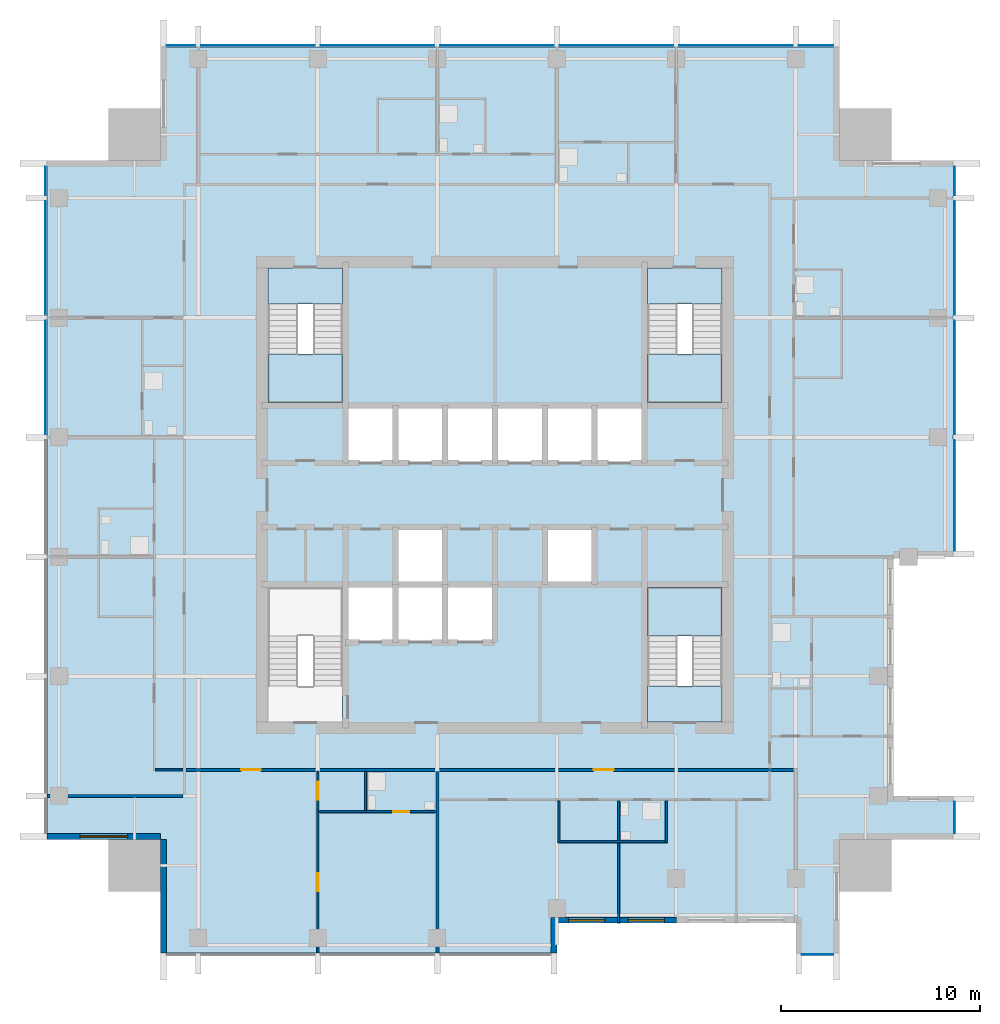
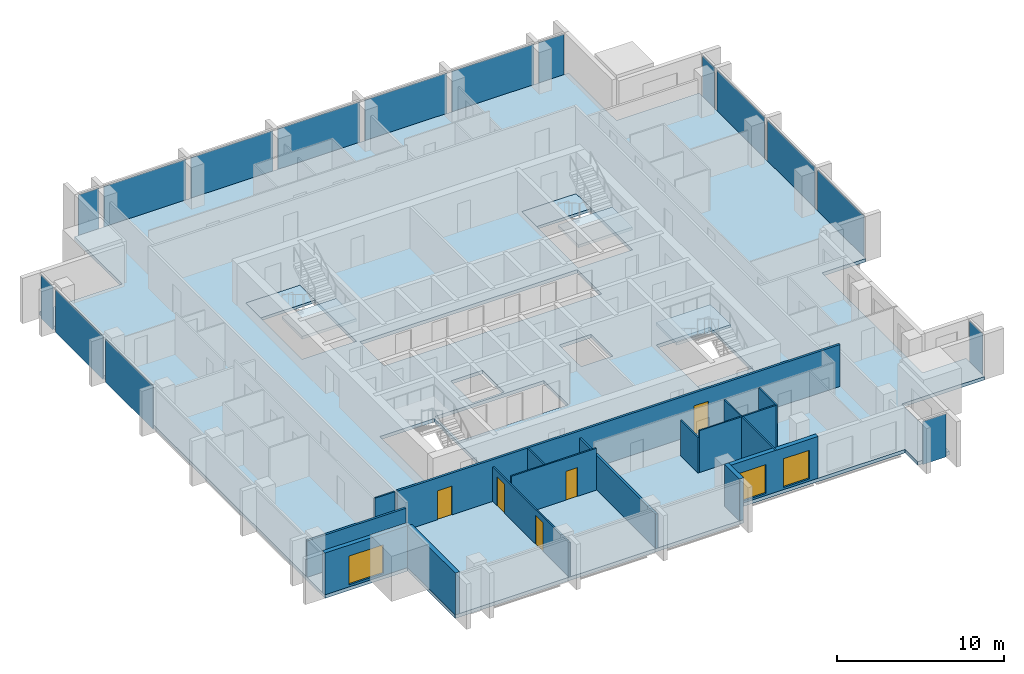
# One storey, part 3 of 9: 16 plates, 15 walls, 7 slabs, 5 doors, 3 windows, 8 openings, 8 elements without a shape of their own.
"""IFC4 building model written with IfcOpenShell, lengths in metres."""

from ifc_helpers import new_model, si_unit, direction, frame, frame_2d, origin, origin_2d, place, context, subcontext, project, spatial, polyline, rectangle, outline, extrude, material, layer, layer_set, type_object, element, fill, aggregate, save


model = new_model("IFC4")

# Units and contexts
model_context = context("Model", 3, precision=1e-05, world=origin(), true_north=direction((0.0, 1.0)))
body_context = subcontext(model_context, "Body", "Model", "MODEL_VIEW")
ifc_project = project(units=[si_unit("LENGTHUNIT", "METRE"), si_unit("AREAUNIT", "SQUARE_METRE"), si_unit("VOLUMEUNIT", "CUBIC_METRE"), si_unit("PLANEANGLEUNIT", "RADIAN"), si_unit("MASSUNIT", "GRAM", prefix="KILO")], contexts=[model_context])

# Site, building, storey
site_placement = place(None, origin())
site = spatial("IfcSite", under=ifc_project, at=site_placement, CompositionType="ELEMENT")
building_placement = place(site_placement, origin())
building = spatial("IfcBuilding", under=site, at=building_placement, Name="Amberfall Residences", CompositionType="ELEMENT")
storey_placement = place(building_placement, frame((0.0, 0.0, 210.10009765625)))
storey = spatial("IfcBuildingStorey", under=building, at=storey_placement, Name="L56", CompositionType="ELEMENT", Elevation=210.10009765625)

# Curtain wall, plate
ifc_material_1 = material(Name="Bronze anodised aluminium and glass", Category="aluminium")
curtain_wall_type = type_object("IfcCurtainWallType", Name="Curtain wall CW1 tower unit", PredefinedType="USERDEFINED", material=ifc_material_1)
curtain_wall_1_placement = place(storey_placement, origin())
curtain_wall_1 = element("IfcCurtainWall", 1, at=curtain_wall_1_placement, inside=storey, type_object=curtain_wall_type, Name="Curtain wall L56 S S6", ObjectType="UNITISED CURTAIN WALL", PredefinedType="USERDEFINED")
ifc_material_2 = material(Name="Tinted double glazed unit", Category="glass")
ifc_layer_1 = layer(ifc_material_2, 0.035888671875)
ifc_layer_set_1 = layer_set([ifc_layer_1], Name="CW1 panel 36 glazing")
plate_type = type_object("IfcPlateType", Name="CW1 panel 36 glazing", PredefinedType="CURTAIN_PANEL", material=ifc_layer_set_1)
plate_1_placement = place(storey_placement, frame((90.699951171875, 22.425048828125, -0.25), z_axis=(0.0, 0.0, 1.0), x_axis=(1.0, 0.0, 0.0)))
plate_1 = element("IfcPlate", 2, at=plate_1_placement, type_object=plate_type, Name="CW1 panel 1.1", PredefinedType="CURTAIN_PANEL", context=body_context, shape_type="SweptSolid", body=[
    extrude(rectangle(XDim=1.575927734375, YDim=0.035888671875, at=origin_2d()), origin(), (0.0, 0.0, 1.0), 3.14990234375),
])
aggregate(curtain_wall_1, [plate_1])

curtain_wall_2_placement = place(storey_placement, origin())
curtain_wall_2 = element("IfcCurtainWall", 3, at=curtain_wall_2_placement, inside=storey, type_object=curtain_wall_type, Name="Curtain wall L56 E E1", ObjectType="UNITISED CURTAIN WALL", PredefinedType="USERDEFINED")
plate_2_placement = place(storey_placement, frame((97.574951171875, 29.300048828125, -0.25), z_axis=(0.0, 0.0, 1.0), x_axis=(0.0, 1.0, 0.0)))
plate_2 = element("IfcPlate", 4, at=plate_2_placement, type_object=plate_type, Name="CW1 panel 1.1", PredefinedType="CURTAIN_PANEL", context=body_context, shape_type="SweptSolid", body=[
    extrude(rectangle(XDim=1.575927734375, YDim=0.035888671875, at=origin_2d()), origin(), (0.0, 0.0, 1.0), 3.14990234375),
])
aggregate(curtain_wall_2, [plate_2])

# Curtain wall, plates
curtain_wall_3_placement = place(storey_placement, origin())
curtain_wall_3 = element("IfcCurtainWall", 5, at=curtain_wall_3_placement, inside=storey, type_object=curtain_wall_type, Name="Curtain wall L56 E E6", ObjectType="UNITISED CURTAIN WALL", PredefinedType="USERDEFINED")
plate_3_placement = place(storey_placement, frame((97.574951171875, 45.47509765625, -0.25), z_axis=(0.0, 0.0, 1.0), x_axis=(0.0, 1.0, 0.0)))
plate_3 = element("IfcPlate", 6, at=plate_3_placement, type_object=plate_type, Name="CW1 panel 1.1", PredefinedType="CURTAIN_PANEL", context=body_context, shape_type="SweptSolid", body=[
    extrude(rectangle(XDim=5.52587890625, YDim=0.035888671875, at=origin_2d()), origin(), (0.0, 0.0, 1.0), 3.14990234375),
])
plate_4_placement = place(storey_placement, frame((97.574951171875, 51.39990234375, -0.25), z_axis=(0.0, 0.0, 1.0), x_axis=(0.0, 1.0, 0.0)))
plate_4 = element("IfcPlate", 7, at=plate_4_placement, type_object=plate_type, Name="CW1 panel 2.1", PredefinedType="CURTAIN_PANEL", context=body_context, shape_type="SweptSolid", body=[
    extrude(rectangle(XDim=5.676025390625, YDim=0.035888671875, at=origin_2d()), origin(), (0.0, 0.0, 1.0), 3.14990234375),
])
plate_5_placement = place(storey_placement, frame((97.574951171875, 57.39990234375, -0.25), z_axis=(0.0, 0.0, 1.0), x_axis=(0.0, 1.0, 0.0)))
plate_5 = element("IfcPlate", 8, at=plate_5_placement, type_object=plate_type, Name="CW1 panel 3.1", PredefinedType="CURTAIN_PANEL", context=body_context, shape_type="SweptSolid", body=[
    extrude(rectangle(XDim=5.676025390625, YDim=0.035888671875, at=origin_2d()), origin(), (0.0, 0.0, 1.0), 3.14990234375),
])
plate_6_placement = place(storey_placement, frame((97.574951171875, 61.27490234375, -0.25), z_axis=(0.0, 0.0, 1.0), x_axis=(0.0, 1.0, 0.0)))
plate_6 = element("IfcPlate", 9, at=plate_6_placement, type_object=plate_type, Name="CW1 panel 4.1", PredefinedType="CURTAIN_PANEL", context=body_context, shape_type="SweptSolid", body=[
    extrude(rectangle(XDim=1.426025390625, YDim=0.035888671875, at=origin_2d()), origin(), (0.0, 0.0, 1.0), 3.14990234375),
])
aggregate(curtain_wall_3, [plate_3, plate_4, plate_5, plate_6])

curtain_wall_4_placement = place(storey_placement, origin())
curtain_wall_4 = element("IfcCurtainWall", 10, at=curtain_wall_4_placement, inside=storey, type_object=curtain_wall_type, Name="Curtain wall L56 N N1", ObjectType="UNITISED CURTAIN WALL", PredefinedType="USERDEFINED")
plate_7_placement = place(storey_placement, frame((90.625, 68.074951171875, -0.25), z_axis=(0.0, 0.0, 1.0), x_axis=(-1.0, 0.0, 0.0)))
plate_7 = element("IfcPlate", 11, at=plate_7_placement, type_object=plate_type, Name="CW1 panel 1.1", PredefinedType="CURTAIN_PANEL", context=body_context, shape_type="SweptSolid", body=[
    extrude(rectangle(XDim=1.72607421875, YDim=0.035888671875, at=origin_2d()), origin(), (0.0, 0.0, 1.0), 3.14990234375),
])
plate_8_placement = place(storey_placement, frame((86.60009765625, 68.074951171875, -0.25), z_axis=(0.0, 0.0, 1.0), x_axis=(-1.0, 0.0, 0.0)))
plate_8 = element("IfcPlate", 12, at=plate_8_placement, type_object=plate_type, Name="CW1 panel 2.1", PredefinedType="CURTAIN_PANEL", context=body_context, shape_type="SweptSolid", body=[
    extrude(rectangle(XDim=5.676025390625, YDim=0.035888671875, at=origin_2d()), origin(), (0.0, 0.0, 1.0), 3.14990234375),
])
plate_9_placement = place(storey_placement, frame((80.60009765625, 68.074951171875, -0.25), z_axis=(0.0, 0.0, 1.0), x_axis=(-1.0, 0.0, 0.0)))
plate_9 = element("IfcPlate", 13, at=plate_9_placement, type_object=plate_type, Name="CW1 panel 3.1", PredefinedType="CURTAIN_PANEL", context=body_context, shape_type="SweptSolid", body=[
    extrude(rectangle(XDim=5.676025390625, YDim=0.035888671875, at=origin_2d()), origin(), (0.0, 0.0, 1.0), 3.14990234375),
])
plate_10_placement = place(storey_placement, frame((74.60009765625, 68.074951171875, -0.25), z_axis=(0.0, 0.0, 1.0), x_axis=(-1.0, 0.0, 0.0)))
plate_10 = element("IfcPlate", 14, at=plate_10_placement, type_object=plate_type, Name="CW1 panel 4.1", PredefinedType="CURTAIN_PANEL", context=body_context, shape_type="SweptSolid", body=[
    extrude(rectangle(XDim=5.676025390625, YDim=0.035888671875, at=origin_2d()), origin(), (0.0, 0.0, 1.0), 3.14990234375),
])
plate_11_placement = place(storey_placement, frame((68.60009765625, 68.074951171875, -0.25), z_axis=(0.0, 0.0, 1.0), x_axis=(-1.0, 0.0, 0.0)))
plate_11 = element("IfcPlate", 15, at=plate_11_placement, type_object=plate_type, Name="CW1 panel 5.1", PredefinedType="CURTAIN_PANEL", context=body_context, shape_type="SweptSolid", body=[
    extrude(rectangle(XDim=5.676025390625, YDim=0.035888671875, at=origin_2d()), origin(), (0.0, 0.0, 1.0), 3.14990234375),
])
plate_12_placement = place(storey_placement, frame((62.60009765625, 68.074951171875, -0.25), z_axis=(0.0, 0.0, 1.0), x_axis=(-1.0, 0.0, 0.0)))
plate_12 = element("IfcPlate", 16, at=plate_12_placement, type_object=plate_type, Name="CW1 panel 6.1", PredefinedType="CURTAIN_PANEL", context=body_context, shape_type="SweptSolid", body=[
    extrude(rectangle(XDim=5.676025390625, YDim=0.035888671875, at=origin_2d()), origin(), (0.0, 0.0, 1.0), 3.14990234375),
])
plate_13_placement = place(storey_placement, frame((58.72509765625, 68.074951171875, -0.25), z_axis=(0.0, 0.0, 1.0), x_axis=(-1.0, 0.0, 0.0)))
plate_13 = element("IfcPlate", 17, at=plate_13_placement, type_object=plate_type, Name="CW1 panel 7.1", PredefinedType="CURTAIN_PANEL", context=body_context, shape_type="SweptSolid", body=[
    extrude(rectangle(XDim=1.426025390625, YDim=0.035888671875, at=origin_2d()), origin(), (0.0, 0.0, 1.0), 3.14990234375),
])
aggregate(curtain_wall_4, [plate_7, plate_8, plate_9, plate_10, plate_11, plate_12, plate_13])

curtain_wall_5_placement = place(storey_placement, origin())
curtain_wall_5 = element("IfcCurtainWall", 18, at=curtain_wall_5_placement, inside=storey, type_object=curtain_wall_type, Name="Curtain wall L56 W W1", ObjectType="UNITISED CURTAIN WALL", PredefinedType="USERDEFINED")
plate_14_placement = place(storey_placement, frame((51.925048828125, 61.27490234375, -0.25), z_axis=(0.0, 0.0, 1.0), x_axis=(0.0, -1.0, 0.0)))
plate_14 = element("IfcPlate", 19, at=plate_14_placement, type_object=plate_type, Name="CW1 panel 1.1", PredefinedType="CURTAIN_PANEL", context=body_context, shape_type="SweptSolid", body=[
    extrude(rectangle(XDim=1.426025390625, YDim=0.035888671875, at=origin_2d()), origin(), (0.0, 0.0, 1.0), 3.14990234375),
])
plate_15_placement = place(storey_placement, frame((51.925048828125, 57.39990234375, -0.25), z_axis=(0.0, 0.0, 1.0), x_axis=(0.0, -1.0, 0.0)))
plate_15 = element("IfcPlate", 20, at=plate_15_placement, type_object=plate_type, Name="CW1 panel 2.1", PredefinedType="CURTAIN_PANEL", context=body_context, shape_type="SweptSolid", body=[
    extrude(rectangle(XDim=5.676025390625, YDim=0.035888671875, at=origin_2d()), origin(), (0.0, 0.0, 1.0), 3.14990234375),
])
plate_16_placement = place(storey_placement, frame((51.925048828125, 51.39990234375, -0.25), z_axis=(0.0, 0.0, 1.0), x_axis=(0.0, -1.0, 0.0)))
plate_16 = element("IfcPlate", 21, at=plate_16_placement, type_object=plate_type, Name="CW1 panel 3.1", PredefinedType="CURTAIN_PANEL", context=body_context, shape_type="SweptSolid", body=[
    extrude(rectangle(XDim=5.676025390625, YDim=0.035888671875, at=origin_2d()), origin(), (0.0, 0.0, 1.0), 3.14990234375),
])
aggregate(curtain_wall_5, [plate_14, plate_15, plate_16])

# Slab
ifc_material_3 = material(Name="Concrete C55", Category="concrete")
ifc_layer_2 = layer(ifc_material_3, 0.25)
ifc_layer_set_2 = layer_set([ifc_layer_2], Name="Floor slab 250 C55")
slab_type_1 = type_object("IfcSlabType", Name="Floor slab 250 C55", PredefinedType="FLOOR", material=ifc_layer_set_2)
slab_1_placement = place(storey_placement, frame((0.0, 0.0, -0.25)))
element("IfcSlab", 22, at=slab_1_placement, inside=storey, type_object=slab_type_1, Name="Floor slab S16 L56", PredefinedType="FLOOR", context=body_context, shape_type="SweptSolid", body=[
    extrude(outline(polyline([(89.60009765625, 22.5), (89.60009765625, 24.0), (83.60009765625, 24.0), (77.60009765625, 24.0), (77.60009765625, 22.5), (57.699951171875, 22.5), (57.699951171875, 28.199951171875), (52.0, 28.199951171875), (52.0, 62.300048828125), (57.699951171875, 62.300048828125), (57.699951171875, 68.0), (91.800048828125, 68.0), (91.800048828125, 62.300048828125), (97.5, 62.300048828125), (97.5, 42.39990234375), (94.5, 42.39990234375), (94.5, 36.39990234375), (94.5, 30.39990234375), (97.5, 30.39990234375), (97.5, 28.199951171875), (91.800048828125, 28.199951171875), (91.800048828125, 22.5), (89.60009765625, 22.5)]), holes=[polyline([(85.89990234375, 34.10009765625), (85.89990234375, 40.85009765625), (82.14990234375, 40.85009765625), (82.14990234375, 34.10009765625), (85.89990234375, 34.10009765625)]), polyline([(85.89990234375, 50.14990234375), (85.89990234375, 56.89990234375), (82.14990234375, 56.89990234375), (82.14990234375, 50.14990234375), (85.89990234375, 50.14990234375)]), polyline([(72.0, 50.0), (69.5, 50.0), (67.0, 50.0), (67.0, 47.10009765625), (69.5, 47.10009765625), (72.0, 47.10009765625), (74.5, 47.10009765625), (77.0, 47.10009765625), (79.5, 47.10009765625), (82.0, 47.10009765625), (82.0, 50.0), (79.5, 50.0), (77.0, 50.0), (74.5, 50.0), (72.0, 50.0)]), polyline([(79.35009765625, 41.14990234375), (79.35009765625, 43.75), (77.14990234375, 43.75), (77.14990234375, 41.14990234375), (79.35009765625, 41.14990234375)]), polyline([(69.5, 41.0), (67.0, 41.0), (67.0, 38.10009765625), (69.5, 38.10009765625), (72.0, 38.10009765625), (74.5, 38.10009765625), (74.5, 41.0), (72.0, 41.0), (69.5, 41.0)]), polyline([(71.85009765625, 41.14990234375), (71.85009765625, 43.75), (69.64990234375, 43.75), (69.64990234375, 41.14990234375), (71.85009765625, 41.14990234375)]), polyline([(66.85009765625, 50.14990234375), (66.85009765625, 56.89990234375), (63.10009765625, 56.89990234375), (63.10009765625, 50.14990234375), (66.85009765625, 50.14990234375)]), polyline([(66.85009765625, 40.85009765625), (63.10009765625, 40.85009765625), (63.10009765625, 34.10009765625), (66.85009765625, 34.10009765625), (66.85009765625, 40.85009765625)])]), origin(), (0.0, 0.0, 1.0), 0.25),
])

# Stair, slabs
ifc_material_4 = material(Name="Concrete C40", Category="concrete")
stair_type = type_object("IfcStairType", Name="Exit stair 20 risers 165.0 mm", PredefinedType="HALF_TURN_STAIR", material=ifc_material_4)
stair_1_placement = place(storey_placement, origin())
stair_1 = element("IfcStair", 23, at=stair_1_placement, inside=storey, type_object=stair_type, Name="L56 Exit stair 2", PredefinedType="HALF_TURN_STAIR")
ifc_layer_3 = layer(ifc_material_4, 0.199951171875)
ifc_layer_set_3 = layer_set([ifc_layer_3], Name="Stair landing 200")
slab_type_2 = type_object("IfcSlabType", Name="Stair landing 200", PredefinedType="LANDING", material=ifc_layer_set_3)
slab_2_placement = place(storey_placement, frame((0.0, 0.0, 1.449951171875)))
slab_2 = element("IfcSlab", 24, at=slab_2_placement, type_object=slab_type_2, Name="ST3 landing 1", PredefinedType="LANDING", context=body_context, shape_type="SweptSolid", body=[
    extrude(outline(polyline([(85.89990234375, 38.419921875), (85.89990234375, 40.85009765625), (82.14990234375, 40.85009765625), (82.14990234375, 38.419921875), (85.89990234375, 38.419921875)])), origin(), (0.0, 0.0, 1.0), 0.199951171875),
])
slab_3_placement = place(storey_placement, frame((0.0, 0.0, -0.2001953125)))
slab_3 = element("IfcSlab", 25, at=slab_3_placement, type_object=slab_type_2, Name="ST3 landing 2", PredefinedType="LANDING", context=body_context, shape_type="SweptSolid", body=[
    extrude(outline(polyline([(85.89990234375, 34.10009765625), (85.89990234375, 35.89990234375), (82.14990234375, 35.89990234375), (82.14990234375, 34.10009765625), (85.89990234375, 34.10009765625)])), origin(), (0.0, 0.0, 1.0), 0.2001953125),
])
aggregate(stair_1, [slab_2, slab_3])

stair_2_placement = place(storey_placement, origin())
stair_2 = element("IfcStair", 26, at=stair_2_placement, inside=storey, type_object=stair_type, Name="L56 Exit stair 3", PredefinedType="HALF_TURN_STAIR")
slab_4_placement = place(storey_placement, frame((0.0, 0.0, 1.449951171875)))
slab_4 = element("IfcSlab", 27, at=slab_4_placement, type_object=slab_type_2, Name="ST3 landing 1", PredefinedType="LANDING", context=body_context, shape_type="SweptSolid", body=[
    extrude(outline(polyline([(82.14990234375, 52.580078125), (82.14990234375, 50.14990234375), (85.89990234375, 50.14990234375), (85.89990234375, 52.580078125), (82.14990234375, 52.580078125)])), origin(), (0.0, 0.0, 1.0), 0.199951171875),
])
slab_5_placement = place(storey_placement, frame((0.0, 0.0, -0.2001953125)))
slab_5 = element("IfcSlab", 28, at=slab_5_placement, type_object=slab_type_2, Name="ST3 landing 2", PredefinedType="LANDING", context=body_context, shape_type="SweptSolid", body=[
    extrude(outline(polyline([(82.14990234375, 56.89990234375), (82.14990234375, 55.10009765625), (85.89990234375, 55.10009765625), (85.89990234375, 56.89990234375), (82.14990234375, 56.89990234375)])), origin(), (0.0, 0.0, 1.0), 0.2001953125),
])
aggregate(stair_2, [slab_4, slab_5])

stair_3_placement = place(storey_placement, origin())
stair_3 = element("IfcStair", 29, at=stair_3_placement, inside=storey, type_object=stair_type, Name="L56 Exit stair 4", PredefinedType="HALF_TURN_STAIR")
slab_6_placement = place(storey_placement, frame((0.0, 0.0, 1.449951171875)))
slab_6 = element("IfcSlab", 30, at=slab_6_placement, type_object=slab_type_2, Name="ST3 landing 1", PredefinedType="LANDING", context=body_context, shape_type="SweptSolid", body=[
    extrude(outline(polyline([(63.10009765625, 52.580078125), (63.10009765625, 50.14990234375), (66.85009765625, 50.14990234375), (66.85009765625, 52.580078125), (63.10009765625, 52.580078125)])), origin(), (0.0, 0.0, 1.0), 0.199951171875),
])
slab_7_placement = place(storey_placement, frame((0.0, 0.0, -0.2001953125)))
slab_7 = element("IfcSlab", 31, at=slab_7_placement, type_object=slab_type_2, Name="ST3 landing 2", PredefinedType="LANDING", context=body_context, shape_type="SweptSolid", body=[
    extrude(outline(polyline([(63.10009765625, 56.89990234375), (63.10009765625, 55.10009765625), (66.85009765625, 55.10009765625), (66.85009765625, 56.89990234375), (63.10009765625, 56.89990234375)])), origin(), (0.0, 0.0, 1.0), 0.2001953125),
])
aggregate(stair_3, [slab_6, slab_7])

# Wall
ifc_material_5 = material(Name="Pale stone cladding on insulated backing", Category="masonry")
ifc_layer_4 = layer(ifc_material_5, 0.300048828125)
ifc_layer_set_4 = layer_set([ifc_layer_4], Name="Bronze clad wall 300")
wall_type_1 = type_object("IfcWallType", Name="Bronze clad wall 300", PredefinedType="SOLIDWALL", material=ifc_layer_set_4)
wall_1_placement = place(storey_placement, frame((77.449951171875, 22.5, 0.0), z_axis=(0.0, 0.0, 1.0), x_axis=(0.0, 1.0, 0.0)))
element("IfcWall", 32, at=wall_1_placement, inside=storey, type_object=wall_type_1, Name="External wall L56 S", PredefinedType="SOLIDWALL", context=body_context, shape_type="SweptSolid", body=[
    extrude(rectangle(XDim=1.800048828125, YDim=0.300048828125, at=frame_2d((0.89990234375, 0.0))), origin(), (0.0, 0.0, 1.0), 3.0498046875),
])

# Wall, opening, window
wall_2_placement = place(storey_placement, frame((52.0, 28.35009765625, 0.0), z_axis=(0.0, 0.0, 1.0), x_axis=(1.0, 0.0, 0.0)))
wall_2 = element("IfcWall", 33, at=wall_2_placement, inside=storey, type_object=wall_type_1, Name="External wall L56 SW", PredefinedType="SOLIDWALL", context=body_context, shape_type="SweptSolid", body=[
    extrude(rectangle(XDim=5.699951171875, YDim=0.300048828125, at=frame_2d((2.85009765625, 0.0))), origin(), (0.0, 0.0, 1.0), 3.0498046875),
])
opening_1_placement = place(wall_2_placement, frame((1.64990234375, 0.0, 0.14990234375)))
opening_1 = element("IfcOpeningElement", 34, at=opening_1_placement, cuts=wall_2, Name="Opening WN5", PredefinedType="OPENING", context=body_context, shape_type="SweptSolid", body=[
    extrude(rectangle(XDim=2.39990234375, YDim=2.10009765625, at=frame_2d((1.199951171875, 1.050048828125))), frame((0.0, 0.159912109375, 0.0), z_axis=(0.0, -1.0, 0.0), x_axis=(1.0, 0.0, 0.0)), (0.0, 0.0, 1.0), 0.320068359375),
])
ifc_material_6 = material(Name="Bronze aluminium framed glazing", Category="aluminium")
window_type_1 = type_object("IfcWindowType", Name="Glazed opening 2400 x 2100 bronze", PartitioningType="DOUBLE_PANEL_VERTICAL", PredefinedType="WINDOW", material=ifc_material_6)
window_1_placement = place(opening_1_placement, origin())
window_1 = element("IfcWindow", 35, at=window_1_placement, inside=storey, type_object=window_type_1, Name="Window L56 SW", OverallHeight=2.10009765625, OverallWidth=2.39990234375, PartitioningType="DOUBLE_PANEL_VERTICAL", PredefinedType="WINDOW", context=body_context, shape_type="SweptSolid", body=[
    extrude(rectangle(XDim=2.39990234375, YDim=2.10009765625, at=frame_2d((1.199951171875, 1.050048828125))), frame((0.0, 0.030029296875, 0.0), z_axis=(0.0, -1.0, 0.0), x_axis=(1.0, 0.0, 0.0)), (0.0, 0.0, 1.0), 0.06005859375),
])
fill(opening_1, window_1)

# Wall
wall_3_placement = place(storey_placement, frame((57.85009765625, 28.199951171875, 0.0), z_axis=(0.0, 0.0, 1.0), x_axis=(0.0, -1.0, 0.0)))
element("IfcWall", 36, at=wall_3_placement, inside=storey, type_object=wall_type_1, Name="External wall L56 SW", PredefinedType="SOLIDWALL", context=body_context, shape_type="SweptSolid", body=[
    extrude(rectangle(XDim=5.699951171875, YDim=0.300048828125, at=frame_2d((2.85009765625, 0.0))), origin(), (0.0, 0.0, 1.0), 3.0498046875),
])

# Wall, openings, windows
wall_4_placement = place(storey_placement, frame((77.60009765625, 24.14990234375, 0.0), z_axis=(0.0, 0.0, 1.0), x_axis=(1.0, 0.0, 0.0)))
wall_4 = element("IfcWall", 37, at=wall_4_placement, inside=storey, type_object=wall_type_1, Name="Stone wall L56 S", PredefinedType="SOLIDWALL", context=body_context, shape_type="SweptSolid", body=[
    extrude(rectangle(XDim=6.0, YDim=0.300048828125, at=frame_2d((3.0, 0.0))), origin(), (0.0, 0.0, 1.0), 3.0498046875),
])
opening_2_placement = place(wall_4_placement, frame((0.60009765625, 0.0, 0.14990234375)))
opening_2 = element("IfcOpeningElement", 38, at=opening_2_placement, cuts=wall_4, Name="Opening WN6", PredefinedType="OPENING", context=body_context, shape_type="SweptSolid", body=[
    extrude(rectangle(XDim=1.800048828125, YDim=2.10009765625, at=frame_2d((0.89990234375, 1.050048828125))), frame((0.0, 0.159912109375, 0.0), z_axis=(0.0, -1.0, 0.0), x_axis=(1.0, 0.0, 0.0)), (0.0, 0.0, 1.0), 0.320068359375),
])
opening_3_placement = place(wall_4_placement, frame((3.60009765625, 0.0, 0.14990234375)))
opening_3 = element("IfcOpeningElement", 39, at=opening_3_placement, cuts=wall_4, Name="Opening WN6", PredefinedType="OPENING", context=body_context, shape_type="SweptSolid", body=[
    extrude(rectangle(XDim=1.800048828125, YDim=2.10009765625, at=frame_2d((0.89990234375, 1.050048828125))), frame((0.0, 0.159912109375, 0.0), z_axis=(0.0, -1.0, 0.0), x_axis=(1.0, 0.0, 0.0)), (0.0, 0.0, 1.0), 0.320068359375),
])
window_type_2 = type_object("IfcWindowType", Name="Glazed opening 1800 x 2100 bronze", PartitioningType="DOUBLE_PANEL_VERTICAL", PredefinedType="WINDOW", material=ifc_material_6)
window_2_placement = place(opening_2_placement, origin())
window_2 = element("IfcWindow", 40, at=window_2_placement, inside=storey, type_object=window_type_2, Name="Window L56 S", OverallHeight=2.10009765625, OverallWidth=1.800048828125, PartitioningType="DOUBLE_PANEL_VERTICAL", PredefinedType="WINDOW", context=body_context, shape_type="SweptSolid", body=[
    extrude(rectangle(XDim=1.800048828125, YDim=2.10009765625, at=frame_2d((0.89990234375, 1.050048828125))), frame((0.0, 0.030029296875, 0.0), z_axis=(0.0, -1.0, 0.0), x_axis=(1.0, 0.0, 0.0)), (0.0, 0.0, 1.0), 0.06005859375),
])
fill(opening_2, window_2)
window_3_placement = place(opening_3_placement, origin())
window_3 = element("IfcWindow", 41, at=window_3_placement, inside=storey, type_object=window_type_2, Name="Window L56 S", OverallHeight=2.10009765625, OverallWidth=1.800048828125, PartitioningType="DOUBLE_PANEL_VERTICAL", PredefinedType="WINDOW", context=body_context, shape_type="SweptSolid", body=[
    extrude(rectangle(XDim=1.800048828125, YDim=2.10009765625, at=frame_2d((0.89990234375, 1.050048828125))), frame((0.0, 0.030029296875, 0.0), z_axis=(0.0, -1.0, 0.0), x_axis=(1.0, 0.0, 0.0)), (0.0, 0.0, 1.0), 0.06005859375),
])
fill(opening_3, window_3)

# Wall, openings, doors
ifc_material_7 = material(Name="Gypsum board on metal stud")
ifc_layer_5 = layer(ifc_material_7, 0.10009765625)
ifc_layer_set_5 = layer_set([ifc_layer_5], Name="Flat partition 100")
wall_type_2 = type_object("IfcWallType", Name="Flat partition 100", PredefinedType="PARTITIONING", material=ifc_layer_set_5)
wall_5_placement = place(storey_placement, frame((65.60009765625, 31.625, 0.0), z_axis=(0.0, 0.0, 1.0), x_axis=(0.0, -1.0, 0.0)))
wall_5 = element("IfcWall", 42, at=wall_5_placement, inside=storey, type_object=wall_type_2, Name="Partition 004", PredefinedType="PARTITIONING", context=body_context, shape_type="SweptSolid", body=[
    extrude(rectangle(XDim=9.125, YDim=0.10009765625, at=frame_2d((4.5625, 0.0))), origin(), (0.0, 0.0, 1.0), 2.515869140625),
])
opening_4_placement = place(wall_5_placement, frame((0.52490234375, 0.0, 0.0)))
opening_4 = element("IfcOpeningElement", 43, at=opening_4_placement, cuts=wall_5, Name="Opening D41", PredefinedType="OPENING", context=body_context, shape_type="SweptSolid", body=[
    extrude(rectangle(XDim=0.89990234375, YDim=2.10009765625, at=frame_2d((0.449951171875, 1.050048828125))), frame((0.0, 0.06005859375, 0.0), z_axis=(0.0, -1.0, 0.0), x_axis=(1.0, 0.0, 0.0)), (0.0, 0.0, 1.0), 0.1201171875),
])
opening_5_placement = place(wall_5_placement, frame((5.125, 0.0, 0.0)))
opening_5 = element("IfcOpeningElement", 44, at=opening_5_placement, cuts=wall_5, Name="Opening D41", PredefinedType="OPENING", context=body_context, shape_type="SweptSolid", body=[
    extrude(rectangle(XDim=0.89990234375, YDim=2.10009765625, at=frame_2d((0.449951171875, 1.050048828125))), frame((0.0, 0.06005859375, 0.0), z_axis=(0.0, -1.0, 0.0), x_axis=(1.0, 0.0, 0.0)), (0.0, 0.0, 1.0), 0.1201171875),
])
ifc_material_8 = material(Name="Timber", Category="wood")
door_type_1 = type_object("IfcDoorType", Name="Internal door 900 x 2100", OperationType="SINGLE_SWING_LEFT", PredefinedType="DOOR", material=ifc_material_8)
door_1_placement = place(opening_4_placement, origin())
door_1 = element("IfcDoor", 45, at=door_1_placement, inside=storey, type_object=door_type_1, Name="Door 5601 kitchen", OperationType="SINGLE_SWING_LEFT", OverallHeight=2.10009765625, OverallWidth=0.89990234375, PredefinedType="DOOR", context=body_context, shape_type="SweptSolid", body=[
    extrude(rectangle(XDim=0.89990234375, YDim=2.10009765625, at=frame_2d((0.449951171875, 1.050048828125))), frame((0.0, 0.02490234375, 0.0), z_axis=(0.0, -1.0, 0.0), x_axis=(1.0, 0.0, 0.0)), (0.0, 0.0, 1.0), 0.050048828125),
])
fill(opening_4, door_1)
door_2_placement = place(opening_5_placement, origin())
door_2 = element("IfcDoor", 46, at=door_2_placement, inside=storey, type_object=door_type_1, Name="Door 5601 bedroom1", OperationType="SINGLE_SWING_LEFT", OverallHeight=2.10009765625, OverallWidth=0.89990234375, PredefinedType="DOOR", context=body_context, shape_type="SweptSolid", body=[
    extrude(rectangle(XDim=0.89990234375, YDim=2.10009765625, at=frame_2d((0.449951171875, 1.050048828125))), frame((0.0, 0.02490234375, 0.0), z_axis=(0.0, -1.0, 0.0), x_axis=(1.0, 0.0, 0.0)), (0.0, 0.0, 1.0), 0.050048828125),
])
fill(opening_5, door_2)

# Walls
wall_6_placement = place(storey_placement, frame((68.0, 29.64990234375, 0.0), z_axis=(0.0, 0.0, 1.0), x_axis=(0.0, 1.0, 0.0)))
element("IfcWall", 47, at=wall_6_placement, inside=storey, type_object=wall_type_2, Name="Partition 005", PredefinedType="PARTITIONING", context=body_context, shape_type="SweptSolid", body=[
    extrude(rectangle(XDim=1.97509765625, YDim=0.10009765625, at=frame_2d((0.987548828125, 0.0))), origin(), (0.0, 0.0, 1.0), 3.0498046875),
])
wall_7_placement = place(storey_placement, frame((77.699951171875, 28.050048828125, 0.0), z_axis=(0.0, 0.0, 1.0), x_axis=(0.0, 1.0, 0.0)))
element("IfcWall", 48, at=wall_7_placement, inside=storey, type_object=wall_type_2, Name="Partition 009", PredefinedType="PARTITIONING", context=body_context, shape_type="SweptSolid", body=[
    extrude(rectangle(XDim=2.099853515625, YDim=0.10009765625, at=frame_2d((1.0498046875, 0.0))), origin(), (0.0, 0.0, 1.0), 2.58984375),
])
wall_8_placement = place(storey_placement, frame((80.699951171875, 24.0, 0.0), z_axis=(0.0, 0.0, 1.0), x_axis=(0.0, 1.0, 0.0)))
element("IfcWall", 49, at=wall_8_placement, inside=storey, type_object=wall_type_2, Name="Partition 010", PredefinedType="PARTITIONING", context=body_context, shape_type="SweptSolid", body=[
    extrude(rectangle(XDim=6.14990234375, YDim=0.10009765625, at=frame_2d((3.074951171875, 0.0))), origin(), (0.0, 0.0, 1.0), 3.0498046875),
])
wall_9_placement = place(storey_placement, frame((83.10009765625, 28.050048828125, 0.0), z_axis=(0.0, 0.0, 1.0), x_axis=(0.0, 1.0, 0.0)))
element("IfcWall", 50, at=wall_9_placement, inside=storey, type_object=wall_type_2, Name="Partition 012", PredefinedType="PARTITIONING", context=body_context, shape_type="SweptSolid", body=[
    extrude(rectangle(XDim=2.099853515625, YDim=0.10009765625, at=frame_2d((1.0498046875, 0.0))), origin(), (0.0, 0.0, 1.0), 3.0498046875),
])
wall_10_placement = place(storey_placement, frame((57.449951171875, 31.699951171875, 0.0), z_axis=(0.0, 0.0, 1.0), x_axis=(1.0, 0.0, 0.0)))
element("IfcWall", 51, at=wall_10_placement, inside=storey, type_object=wall_type_2, Name="Partition 033", PredefinedType="PARTITIONING", context=body_context, shape_type="SweptSolid", body=[
    extrude(rectangle(XDim=1.375, YDim=0.10009765625, at=frame_2d((0.6875, 0.0))), origin(), (0.0, 0.0, 1.0), 3.0498046875),
])

# Wall, opening, door
wall_11_placement = place(storey_placement, frame((65.64990234375, 29.60009765625, 0.0), z_axis=(0.0, 0.0, 1.0), x_axis=(1.0, 0.0, 0.0)))
wall_11 = element("IfcWall", 52, at=wall_11_placement, inside=storey, type_object=wall_type_2, Name="Partition 035", PredefinedType="PARTITIONING", context=body_context, shape_type="SweptSolid", body=[
    extrude(rectangle(XDim=5.875, YDim=0.10009765625, at=frame_2d((2.9375, 0.0))), origin(), (0.0, 0.0, 1.0), 3.0498046875),
])
opening_6_placement = place(wall_11_placement, frame((3.75, 0.0, 0.0)))
opening_6 = element("IfcOpeningElement", 53, at=opening_6_placement, cuts=wall_11, Name="Opening D42", PredefinedType="OPENING", context=body_context, shape_type="SweptSolid", body=[
    extrude(rectangle(XDim=0.800048828125, YDim=2.10009765625, at=frame_2d((0.39990234375, 1.050048828125))), frame((0.0, 0.06005859375, 0.0), z_axis=(0.0, -1.0, 0.0), x_axis=(1.0, 0.0, 0.0)), (0.0, 0.0, 1.0), 0.1201171875),
])
door_type_2 = type_object("IfcDoorType", Name="Bathroom door 800 x 2100", OperationType="SINGLE_SWING_LEFT", PredefinedType="DOOR", material=ifc_material_8)
door_3_placement = place(opening_6_placement, origin())
door_3 = element("IfcDoor", 54, at=door_3_placement, inside=storey, type_object=door_type_2, Name="Door 5601 bath1", OperationType="SINGLE_SWING_LEFT", OverallHeight=2.10009765625, OverallWidth=0.800048828125, PredefinedType="DOOR", context=body_context, shape_type="SweptSolid", body=[
    extrude(rectangle(XDim=0.800048828125, YDim=2.10009765625, at=frame_2d((0.39990234375, 1.050048828125))), frame((0.0, 0.02490234375, 0.0), z_axis=(0.0, -1.0, 0.0), x_axis=(1.0, 0.0, 0.0)), (0.0, 0.0, 1.0), 0.050048828125),
])
fill(opening_6, door_3)

# Walls
wall_12_placement = place(storey_placement, frame((77.75, 28.10009765625, 0.0), z_axis=(0.0, 0.0, 1.0), x_axis=(1.0, 0.0, 0.0)))
element("IfcWall", 55, at=wall_12_placement, inside=storey, type_object=wall_type_2, Name="Partition 036", PredefinedType="PARTITIONING", context=body_context, shape_type="SweptSolid", body=[
    extrude(rectangle(XDim=5.300048828125, YDim=0.10009765625, at=frame_2d((2.64990234375, 0.0))), origin(), (0.0, 0.0, 1.0), 3.0498046875),
])
ifc_material_9 = material(Name="Blockwork, plastered", Category="masonry")
ifc_layer_6 = layer(ifc_material_9, 0.14990234375)
ifc_layer_set_6 = layer_set([ifc_layer_6], Name="Flat separating wall 150")
wall_type_3 = type_object("IfcWallType", Name="Flat separating wall 150", PredefinedType="PARTITIONING", material=ifc_layer_set_6)
wall_13_placement = place(storey_placement, frame((71.60009765625, 22.5, 0.0), z_axis=(0.0, 0.0, 1.0), x_axis=(0.0, 1.0, 0.0)))
element("IfcWall", 56, at=wall_13_placement, inside=storey, type_object=wall_type_3, Name="Separating wall 039", PredefinedType="PARTITIONING", context=body_context, shape_type="SweptSolid", body=[
    extrude(rectangle(XDim=9.125, YDim=0.14990234375, at=frame_2d((4.5625, 0.0))), origin(), (0.0, 0.0, 1.0), 2.515869140625),
])

# Wall, openings, doors
wall_14_placement = place(storey_placement, frame((89.52490234375, 31.699951171875, 0.0), z_axis=(0.0, 0.0, 1.0), x_axis=(-1.0, 0.0, 0.0)))
wall_14 = element("IfcWall", 57, at=wall_14_placement, inside=storey, type_object=wall_type_3, Name="Separating wall 047", PredefinedType="PARTITIONING", context=body_context, shape_type="SweptSolid", body=[
    extrude(rectangle(XDim=30.5498046875, YDim=0.14990234375, at=frame_2d((15.27490234375, 0.0))), origin(), (0.0, 0.0, 1.0), 3.0498046875),
])
opening_7_placement = place(wall_14_placement, frame((26.77490234375, 0.0, 0.0)))
opening_7 = element("IfcOpeningElement", 58, at=opening_7_placement, cuts=wall_14, Name="Opening D40", PredefinedType="OPENING", context=body_context, shape_type="SweptSolid", body=[
    extrude(rectangle(XDim=1.0, YDim=2.10009765625, at=frame_2d((0.5, 1.050048828125))), frame((0.0, 0.0849609375, 0.0), z_axis=(0.0, -1.0, 0.0), x_axis=(1.0, 0.0, 0.0)), (0.0, 0.0, 1.0), 0.169921875),
])
opening_8_placement = place(wall_14_placement, frame((9.074951171875, 0.0, 0.0)))
opening_8 = element("IfcOpeningElement", 59, at=opening_8_placement, cuts=wall_14, Name="Opening D40", PredefinedType="OPENING", context=body_context, shape_type="SweptSolid", body=[
    extrude(rectangle(XDim=1.0, YDim=2.10009765625, at=frame_2d((0.5, 1.050048828125))), frame((0.0, 0.0849609375, 0.0), z_axis=(0.0, -1.0, 0.0), x_axis=(1.0, 0.0, 0.0)), (0.0, 0.0, 1.0), 0.169921875),
])
ifc_material_10 = material(Name="Timber, fire-rated", Category="wood")
door_type_3 = type_object("IfcDoorType", Name="Flat entrance door FD60 1000 x 2100", OperationType="SINGLE_SWING_LEFT", PredefinedType="DOOR", material=ifc_material_10)
door_4_placement = place(opening_7_placement, origin())
door_4 = element("IfcDoor", 60, at=door_4_placement, inside=storey, type_object=door_type_3, Name="Door 5601 entrance", OperationType="SINGLE_SWING_LEFT", OverallHeight=2.10009765625, OverallWidth=1.0, PredefinedType="DOOR", context=body_context, shape_type="SweptSolid", body=[
    extrude(rectangle(XDim=1.0, YDim=2.10009765625, at=frame_2d((0.5, 1.050048828125))), frame((0.0, 0.02490234375, 0.0), z_axis=(0.0, -1.0, 0.0), x_axis=(1.0, 0.0, 0.0)), (0.0, 0.0, 1.0), 0.050048828125),
])
fill(opening_7, door_4)
door_5_placement = place(opening_8_placement, origin())
door_5 = element("IfcDoor", 61, at=door_5_placement, inside=storey, type_object=door_type_3, Name="Door 5602 entrance", OperationType="SINGLE_SWING_LEFT", OverallHeight=2.10009765625, OverallWidth=1.0, PredefinedType="DOOR", context=body_context, shape_type="SweptSolid", body=[
    extrude(rectangle(XDim=1.0, YDim=2.10009765625, at=frame_2d((0.5, 1.050048828125))), frame((0.0, 0.02490234375, 0.0), z_axis=(0.0, -1.0, 0.0), x_axis=(1.0, 0.0, 0.0)), (0.0, 0.0, 1.0), 0.050048828125),
])
fill(opening_8, door_5)

# Wall
wall_15_placement = place(storey_placement, frame((52.0, 30.39990234375, 0.0), z_axis=(0.0, 0.0, 1.0), x_axis=(1.0, 0.0, 0.0)))
element("IfcWall", 62, at=wall_15_placement, inside=storey, type_object=wall_type_3, Name="Separating wall 048", PredefinedType="PARTITIONING", context=body_context, shape_type="SweptSolid", body=[
    extrude(rectangle(XDim=6.824951171875, YDim=0.14990234375, at=frame_2d((3.41259765625, 0.0))), origin(), (0.0, 0.0, 1.0), 2.64697265625),
])

save(model, "model.ifc")
